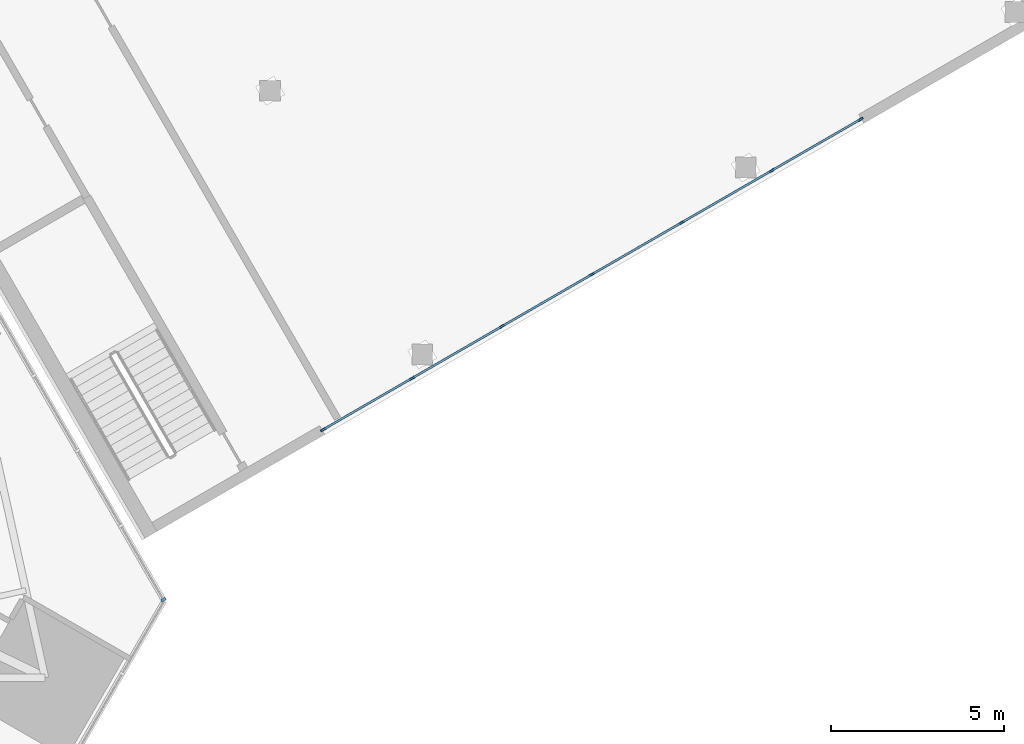
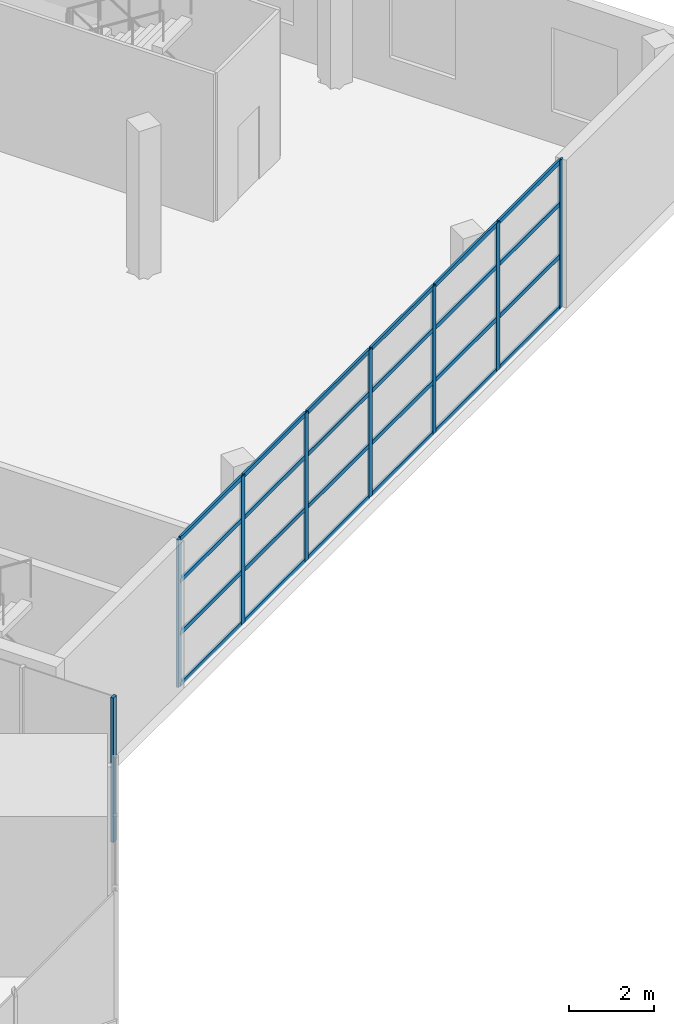
# One storey, part 13 of 29: 32 members, 2 elements without a shape of their own.
"""IFC4 building model written with IfcOpenShell, lengths in metres."""

from ifc_helpers import new_model, si_unit, direction, frame, origin, origin_2d, place, context, subcontext, project, spatial, rectangle, extrude, material, layer, layer_set, material_profile, profile_set, type_object, element, aggregate, save


model = new_model("IFC4")

# Units and contexts
model_context = context("Model", 3, precision=1e-05, world=origin(), true_north=direction((0.0, 1.0)))
body_context = subcontext(model_context, "Body", "Model", "MODEL_VIEW")
ifc_project = project(units=[si_unit("LENGTHUNIT", "METRE"), si_unit("AREAUNIT", "SQUARE_METRE"), si_unit("VOLUMEUNIT", "CUBIC_METRE"), si_unit("PLANEANGLEUNIT", "RADIAN"), si_unit("MASSUNIT", "GRAM", prefix="KILO")], contexts=[model_context])

# Site, building, storey
site_placement = place(None, origin())
site = spatial("IfcSite", under=ifc_project, at=site_placement, CompositionType="ELEMENT")
building_placement = place(site_placement, origin())
building = spatial("IfcBuilding", under=site, at=building_placement, Name="Firuza Gate Tower and Library", CompositionType="ELEMENT")
storey_placement = place(building_placement, frame((0.0, 0.0, 17.199951171875)))
storey = spatial("IfcBuildingStorey", under=building, at=storey_placement, Name="L03", CompositionType="ELEMENT", Elevation=17.199951171875)

# Curtain wall, member
ifc_material_1 = material(Name="Aluminium 6063-T6", Category="aluminium")
ifc_layer = layer(ifc_material_1, 0.14990234375)
ifc_layer_set = layer_set([ifc_layer], Name="Stick curtain wall, podium")
curtain_wall_type_1 = type_object("IfcCurtainWallType", Name="Stick curtain wall, podium", PredefinedType="NOTDEFINED", material=ifc_layer_set)
placement = place(storey_placement, origin())
curtain_wall_1 = element("IfcCurtainWall", 1, at=placement, inside=storey, type_object=curtain_wall_type_1, Name="CW5 L03 E", PredefinedType="NOTDEFINED")
ifc_material_2 = material(Name="Aluminium 6063-T6", Category="aluminium")
ifc_material_profile_1 = material_profile(ifc_material_2, rectangle(XDim=0.14990234375, YDim=0.080078125, at=origin_2d()))
ifc_profile_set_1 = profile_set([ifc_material_profile_1], Name="Aluminium 6063-T6")
member_type_1 = type_object("IfcMemberType", Name="Curtain wall mullion 80x150", PredefinedType="MULLION", material=ifc_profile_set_1)
member_1_placement = place(storey_placement, frame((107.466552734375, 60.4853515625, 0.150146484375), z_axis=(0.0, 0.0, 1.0), x_axis=(-0.866025403784, -0.5, 0.0)))
member_1 = element("IfcMember", 2, at=member_1_placement, type_object=member_type_1, Name="Mullion", PredefinedType="MULLION", context=body_context, shape_type="SweptSolid", body=[
    extrude(rectangle(XDim=0.14990234375, YDim=0.080078125, at=origin_2d()), origin(), (0.0, 0.0, 1.0), 4.14990234375),
])
aggregate(curtain_wall_1, [member_1])

# Curtain wall, members
ifc_material_3 = material(Name="Aluminium", Category="aluminium")
curtain_wall_type_2 = type_object("IfcCurtainWallType", Name="LIB CURTAIN WALL", PredefinedType="NOTDEFINED", material=ifc_material_3)
curtain_wall_2 = element("IfcCurtainWall", 3, at=placement, inside=storey, type_object=curtain_wall_type_2, Name="L03 south curtain wall", PredefinedType="NOTDEFINED")
ifc_material_4 = material(Name="Aluminium", Category="aluminium")
ifc_material_profile_2 = material_profile(ifc_material_4, rectangle(XDim=0.06005859375, YDim=0.159912109375, at=origin_2d()))
ifc_profile_set_2 = profile_set([ifc_material_profile_2], Name="Aluminium")
member_type_2 = type_object("IfcMemberType", Name="LIB MULLION 60X160", PredefinedType="MULLION", material=ifc_profile_set_2)
member_2_placement = place(storey_placement, frame((112.080078125, 65.404541015625, 0.0), z_axis=(0.0, 0.0, 1.0), x_axis=(-0.500001377656, 0.866024608393, 0.0)))
member_2 = element("IfcMember", 4, at=member_2_placement, type_object=member_type_2, Name="LIB-CW mullion 1", PredefinedType="MULLION", context=body_context, shape_type="SweptSolid", body=[
    extrude(rectangle(XDim=0.06005859375, YDim=0.159912109375, at=origin_2d()), origin(), (0.0, 0.0, 1.0), 4.239990234375),
])
member_3_placement = place(storey_placement, frame((114.65234375, 66.889404296875, 0.0), z_axis=(0.0, 0.0, 1.0), x_axis=(-0.500001377656, 0.866024608393, 0.0)))
member_3 = element("IfcMember", 5, at=member_3_placement, type_object=member_type_2, Name="LIB-CW mullion 2", PredefinedType="MULLION", context=body_context, shape_type="SweptSolid", body=[
    extrude(rectangle(XDim=0.06005859375, YDim=0.159912109375, at=origin_2d()), origin(), (0.0, 0.0, 1.0), 4.239990234375),
])
member_4_placement = place(storey_placement, frame((117.250244140625, 68.389404296875, 0.0), z_axis=(0.0, 0.0, 1.0), x_axis=(-0.500001377656, 0.866024608393, 0.0)))
member_4 = element("IfcMember", 6, at=member_4_placement, type_object=member_type_2, Name="LIB-CW mullion 3", PredefinedType="MULLION", context=body_context, shape_type="SweptSolid", body=[
    extrude(rectangle(XDim=0.06005859375, YDim=0.159912109375, at=origin_2d()), origin(), (0.0, 0.0, 1.0), 4.239990234375),
])
member_5_placement = place(storey_placement, frame((119.848388671875, 69.889404296875, 0.0), z_axis=(0.0, 0.0, 1.0), x_axis=(-0.500001377656, 0.866024608393, 0.0)))
member_5 = element("IfcMember", 7, at=member_5_placement, type_object=member_type_2, Name="LIB-CW mullion 4", PredefinedType="MULLION", context=body_context, shape_type="SweptSolid", body=[
    extrude(rectangle(XDim=0.06005859375, YDim=0.159912109375, at=origin_2d()), origin(), (0.0, 0.0, 1.0), 4.239990234375),
])
member_6_placement = place(storey_placement, frame((122.446533203125, 71.389404296875, 0.0), z_axis=(0.0, 0.0, 1.0), x_axis=(-0.500001377656, 0.866024608393, 0.0)))
member_6 = element("IfcMember", 8, at=member_6_placement, type_object=member_type_2, Name="LIB-CW mullion 5", PredefinedType="MULLION", context=body_context, shape_type="SweptSolid", body=[
    extrude(rectangle(XDim=0.06005859375, YDim=0.159912109375, at=origin_2d()), origin(), (0.0, 0.0, 1.0), 4.239990234375),
])
member_7_placement = place(storey_placement, frame((125.04443359375, 72.889404296875, 0.0), z_axis=(0.0, 0.0, 1.0), x_axis=(-0.500001377656, 0.866024608393, 0.0)))
member_7 = element("IfcMember", 9, at=member_7_placement, type_object=member_type_2, Name="LIB-CW mullion 6", PredefinedType="MULLION", context=body_context, shape_type="SweptSolid", body=[
    extrude(rectangle(XDim=0.06005859375, YDim=0.159912109375, at=origin_2d()), origin(), (0.0, 0.0, 1.0), 4.239990234375),
])
member_8_placement = place(storey_placement, frame((127.61669921875, 74.37451171875, 0.0), z_axis=(0.0, 0.0, 1.0), x_axis=(-0.500001377656, 0.866024608393, 0.0)))
member_8 = element("IfcMember", 10, at=member_8_placement, type_object=member_type_2, Name="LIB-CW mullion 7", PredefinedType="MULLION", context=body_context, shape_type="SweptSolid", body=[
    extrude(rectangle(XDim=0.06005859375, YDim=0.159912109375, at=origin_2d()), origin(), (0.0, 0.0, 1.0), 4.239990234375),
])
ifc_material_5 = material(Name="Aluminium", Category="aluminium")
ifc_material_profile_3 = material_profile(ifc_material_5, rectangle(XDim=0.06005859375, YDim=0.1201171875, at=origin_2d()))
ifc_profile_set_3 = profile_set([ifc_material_profile_3], Name="Aluminium")
member_type_3 = type_object("IfcMemberType", Name="LIB TRANSOM 60X120", PredefinedType="USERDEFINED", material=ifc_profile_set_3)
member_9_placement = place(storey_placement, frame((112.106201171875, 65.41943359375, 0.030029296875), z_axis=(0.866003949776, 0.500037157592, 0.0), x_axis=(-0.500037157592, 0.866003949776, 0.0)))
member_9 = element("IfcMember", 11, at=member_9_placement, type_object=member_type_3, Name="LIB-CW transom 1.1", ObjectType="TRANSOM", PredefinedType="USERDEFINED", context=body_context, shape_type="SweptSolid", body=[
    extrude(rectangle(XDim=0.06005859375, YDim=0.1201171875, at=origin_2d()), origin(), (0.0, 0.0, 1.0), 2.909912109375),
])
member_10_placement = place(storey_placement, frame((112.106201171875, 65.41943359375, 1.5), z_axis=(0.866003949776, 0.500037157592, 0.0), x_axis=(-0.500037157592, 0.866003949776, 0.0)))
member_10 = element("IfcMember", 12, at=member_10_placement, type_object=member_type_3, Name="LIB-CW transom 1.2", ObjectType="TRANSOM", PredefinedType="USERDEFINED", context=body_context, shape_type="SweptSolid", body=[
    extrude(rectangle(XDim=0.06005859375, YDim=0.1201171875, at=origin_2d()), origin(), (0.0, 0.0, 1.0), 2.909912109375),
])
member_11_placement = place(storey_placement, frame((112.106201171875, 65.41943359375, 3.0), z_axis=(0.866003949776, 0.500037157592, 0.0), x_axis=(-0.500037157592, 0.866003949776, 0.0)))
member_11 = element("IfcMember", 13, at=member_11_placement, type_object=member_type_3, Name="LIB-CW transom 1.3", ObjectType="TRANSOM", PredefinedType="USERDEFINED", context=body_context, shape_type="SweptSolid", body=[
    extrude(rectangle(XDim=0.06005859375, YDim=0.1201171875, at=origin_2d()), origin(), (0.0, 0.0, 1.0), 2.909912109375),
])
member_12_placement = place(storey_placement, frame((112.106201171875, 65.41943359375, 4.2099609375), z_axis=(0.866003949776, 0.500037157592, 0.0), x_axis=(-0.500037157592, 0.866003949776, 0.0)))
member_12 = element("IfcMember", 14, at=member_12_placement, type_object=member_type_3, Name="LIB-CW transom 1.4", ObjectType="TRANSOM", PredefinedType="USERDEFINED", context=body_context, shape_type="SweptSolid", body=[
    extrude(rectangle(XDim=0.06005859375, YDim=0.1201171875, at=origin_2d()), origin(), (0.0, 0.0, 1.0), 2.909912109375),
])
member_13_placement = place(storey_placement, frame((114.67822265625, 66.904541015625, 0.030029296875), z_axis=(0.866032090307, 0.499988418424, 0.0), x_axis=(-0.499988418424, 0.866032090307, 0.0)))
member_13 = element("IfcMember", 15, at=member_13_placement, type_object=member_type_3, Name="LIB-CW transom 2.1", ObjectType="TRANSOM", PredefinedType="USERDEFINED", context=body_context, shape_type="SweptSolid", body=[
    extrude(rectangle(XDim=0.06005859375, YDim=0.1201171875, at=origin_2d()), origin(), (0.0, 0.0, 1.0), 2.93994140625),
])
member_14_placement = place(storey_placement, frame((114.67822265625, 66.904541015625, 1.5), z_axis=(0.866032090307, 0.499988418424, 0.0), x_axis=(-0.499988418424, 0.866032090307, 0.0)))
member_14 = element("IfcMember", 16, at=member_14_placement, type_object=member_type_3, Name="LIB-CW transom 2.2", ObjectType="TRANSOM", PredefinedType="USERDEFINED", context=body_context, shape_type="SweptSolid", body=[
    extrude(rectangle(XDim=0.06005859375, YDim=0.1201171875, at=origin_2d()), origin(), (0.0, 0.0, 1.0), 2.93994140625),
])
member_15_placement = place(storey_placement, frame((114.67822265625, 66.904541015625, 3.0), z_axis=(0.866032090307, 0.499988418424, 0.0), x_axis=(-0.499988418424, 0.866032090307, 0.0)))
member_15 = element("IfcMember", 17, at=member_15_placement, type_object=member_type_3, Name="LIB-CW transom 2.3", ObjectType="TRANSOM", PredefinedType="USERDEFINED", context=body_context, shape_type="SweptSolid", body=[
    extrude(rectangle(XDim=0.06005859375, YDim=0.1201171875, at=origin_2d()), origin(), (0.0, 0.0, 1.0), 2.93994140625),
])
member_16_placement = place(storey_placement, frame((114.67822265625, 66.904541015625, 4.2099609375), z_axis=(0.866032090307, 0.499988418424, 0.0), x_axis=(-0.499988418424, 0.866032090307, 0.0)))
member_16 = element("IfcMember", 18, at=member_16_placement, type_object=member_type_3, Name="LIB-CW transom 2.4", ObjectType="TRANSOM", PredefinedType="USERDEFINED", context=body_context, shape_type="SweptSolid", body=[
    extrude(rectangle(XDim=0.06005859375, YDim=0.1201171875, at=origin_2d()), origin(), (0.0, 0.0, 1.0), 2.93994140625),
])
member_17_placement = place(storey_placement, frame((117.2763671875, 68.404541015625, 0.030029296875), z_axis=(0.866032090307, 0.499988418424, 0.0), x_axis=(-0.499988418424, 0.866032090307, 0.0)))
member_17 = element("IfcMember", 19, at=member_17_placement, type_object=member_type_3, Name="LIB-CW transom 3.1", ObjectType="TRANSOM", PredefinedType="USERDEFINED", context=body_context, shape_type="SweptSolid", body=[
    extrude(rectangle(XDim=0.06005859375, YDim=0.1201171875, at=origin_2d()), origin(), (0.0, 0.0, 1.0), 2.93994140625),
])
member_18_placement = place(storey_placement, frame((117.2763671875, 68.404541015625, 1.5), z_axis=(0.866032090307, 0.499988418424, 0.0), x_axis=(-0.499988418424, 0.866032090307, 0.0)))
member_18 = element("IfcMember", 20, at=member_18_placement, type_object=member_type_3, Name="LIB-CW transom 3.2", ObjectType="TRANSOM", PredefinedType="USERDEFINED", context=body_context, shape_type="SweptSolid", body=[
    extrude(rectangle(XDim=0.06005859375, YDim=0.1201171875, at=origin_2d()), origin(), (0.0, 0.0, 1.0), 2.93994140625),
])
member_19_placement = place(storey_placement, frame((117.2763671875, 68.404541015625, 3.0), z_axis=(0.866032090307, 0.499988418424, 0.0), x_axis=(-0.499988418424, 0.866032090307, 0.0)))
member_19 = element("IfcMember", 21, at=member_19_placement, type_object=member_type_3, Name="LIB-CW transom 3.3", ObjectType="TRANSOM", PredefinedType="USERDEFINED", context=body_context, shape_type="SweptSolid", body=[
    extrude(rectangle(XDim=0.06005859375, YDim=0.1201171875, at=origin_2d()), origin(), (0.0, 0.0, 1.0), 2.93994140625),
])
member_20_placement = place(storey_placement, frame((117.2763671875, 68.404541015625, 4.2099609375), z_axis=(0.866032090307, 0.499988418424, 0.0), x_axis=(-0.499988418424, 0.866032090307, 0.0)))
member_20 = element("IfcMember", 22, at=member_20_placement, type_object=member_type_3, Name="LIB-CW transom 3.4", ObjectType="TRANSOM", PredefinedType="USERDEFINED", context=body_context, shape_type="SweptSolid", body=[
    extrude(rectangle(XDim=0.06005859375, YDim=0.1201171875, at=origin_2d()), origin(), (0.0, 0.0, 1.0), 2.93994140625),
])
member_21_placement = place(storey_placement, frame((119.874267578125, 69.904541015625, 0.030029296875), z_axis=(0.866032090307, 0.499988418424, 0.0), x_axis=(-0.499988418424, 0.866032090307, 0.0)))
member_21 = element("IfcMember", 23, at=member_21_placement, type_object=member_type_3, Name="LIB-CW transom 4.1", ObjectType="TRANSOM", PredefinedType="USERDEFINED", context=body_context, shape_type="SweptSolid", body=[
    extrude(rectangle(XDim=0.06005859375, YDim=0.1201171875, at=origin_2d()), origin(), (0.0, 0.0, 1.0), 2.93994140625),
])
member_22_placement = place(storey_placement, frame((119.874267578125, 69.904541015625, 1.5), z_axis=(0.866032090307, 0.499988418424, 0.0), x_axis=(-0.499988418424, 0.866032090307, 0.0)))
member_22 = element("IfcMember", 24, at=member_22_placement, type_object=member_type_3, Name="LIB-CW transom 4.2", ObjectType="TRANSOM", PredefinedType="USERDEFINED", context=body_context, shape_type="SweptSolid", body=[
    extrude(rectangle(XDim=0.06005859375, YDim=0.1201171875, at=origin_2d()), origin(), (0.0, 0.0, 1.0), 2.93994140625),
])
member_23_placement = place(storey_placement, frame((119.874267578125, 69.904541015625, 3.0), z_axis=(0.866032090307, 0.499988418424, 0.0), x_axis=(-0.499988418424, 0.866032090307, 0.0)))
member_23 = element("IfcMember", 25, at=member_23_placement, type_object=member_type_3, Name="LIB-CW transom 4.3", ObjectType="TRANSOM", PredefinedType="USERDEFINED", context=body_context, shape_type="SweptSolid", body=[
    extrude(rectangle(XDim=0.06005859375, YDim=0.1201171875, at=origin_2d()), origin(), (0.0, 0.0, 1.0), 2.93994140625),
])
member_24_placement = place(storey_placement, frame((119.874267578125, 69.904541015625, 4.2099609375), z_axis=(0.866032090307, 0.499988418424, 0.0), x_axis=(-0.499988418424, 0.866032090307, 0.0)))
member_24 = element("IfcMember", 26, at=member_24_placement, type_object=member_type_3, Name="LIB-CW transom 4.4", ObjectType="TRANSOM", PredefinedType="USERDEFINED", context=body_context, shape_type="SweptSolid", body=[
    extrude(rectangle(XDim=0.06005859375, YDim=0.1201171875, at=origin_2d()), origin(), (0.0, 0.0, 1.0), 2.93994140625),
])
member_25_placement = place(storey_placement, frame((122.472412109375, 71.404541015625, 0.030029296875), z_axis=(0.866032090307, 0.499988418424, 0.0), x_axis=(-0.499988418424, 0.866032090307, 0.0)))
member_25 = element("IfcMember", 27, at=member_25_placement, type_object=member_type_3, Name="LIB-CW transom 5.1", ObjectType="TRANSOM", PredefinedType="USERDEFINED", context=body_context, shape_type="SweptSolid", body=[
    extrude(rectangle(XDim=0.06005859375, YDim=0.1201171875, at=origin_2d()), origin(), (0.0, 0.0, 1.0), 2.93994140625),
])
member_26_placement = place(storey_placement, frame((122.472412109375, 71.404541015625, 1.5), z_axis=(0.866032090307, 0.499988418424, 0.0), x_axis=(-0.499988418424, 0.866032090307, 0.0)))
member_26 = element("IfcMember", 28, at=member_26_placement, type_object=member_type_3, Name="LIB-CW transom 5.2", ObjectType="TRANSOM", PredefinedType="USERDEFINED", context=body_context, shape_type="SweptSolid", body=[
    extrude(rectangle(XDim=0.06005859375, YDim=0.1201171875, at=origin_2d()), origin(), (0.0, 0.0, 1.0), 2.93994140625),
])
member_27_placement = place(storey_placement, frame((122.472412109375, 71.404541015625, 3.0), z_axis=(0.866032090307, 0.499988418424, 0.0), x_axis=(-0.499988418424, 0.866032090307, 0.0)))
member_27 = element("IfcMember", 29, at=member_27_placement, type_object=member_type_3, Name="LIB-CW transom 5.3", ObjectType="TRANSOM", PredefinedType="USERDEFINED", context=body_context, shape_type="SweptSolid", body=[
    extrude(rectangle(XDim=0.06005859375, YDim=0.1201171875, at=origin_2d()), origin(), (0.0, 0.0, 1.0), 2.93994140625),
])
member_28_placement = place(storey_placement, frame((122.472412109375, 71.404541015625, 4.2099609375), z_axis=(0.866032090307, 0.499988418424, 0.0), x_axis=(-0.499988418424, 0.866032090307, 0.0)))
member_28 = element("IfcMember", 30, at=member_28_placement, type_object=member_type_3, Name="LIB-CW transom 5.4", ObjectType="TRANSOM", PredefinedType="USERDEFINED", context=body_context, shape_type="SweptSolid", body=[
    extrude(rectangle(XDim=0.06005859375, YDim=0.1201171875, at=origin_2d()), origin(), (0.0, 0.0, 1.0), 2.93994140625),
])
member_29_placement = place(storey_placement, frame((125.070556640625, 72.904541015625, 0.030029296875), z_axis=(0.866003949776, 0.500037157592, 0.0), x_axis=(-0.500037157592, 0.866003949776, 0.0)))
member_29 = element("IfcMember", 31, at=member_29_placement, type_object=member_type_3, Name="LIB-CW transom 6.1", ObjectType="TRANSOM", PredefinedType="USERDEFINED", context=body_context, shape_type="SweptSolid", body=[
    extrude(rectangle(XDim=0.06005859375, YDim=0.1201171875, at=origin_2d()), origin(), (0.0, 0.0, 1.0), 2.909912109375),
])
member_30_placement = place(storey_placement, frame((125.070556640625, 72.904541015625, 1.5), z_axis=(0.866003949776, 0.500037157592, 0.0), x_axis=(-0.500037157592, 0.866003949776, 0.0)))
member_30 = element("IfcMember", 32, at=member_30_placement, type_object=member_type_3, Name="LIB-CW transom 6.2", ObjectType="TRANSOM", PredefinedType="USERDEFINED", context=body_context, shape_type="SweptSolid", body=[
    extrude(rectangle(XDim=0.06005859375, YDim=0.1201171875, at=origin_2d()), origin(), (0.0, 0.0, 1.0), 2.909912109375),
])
member_31_placement = place(storey_placement, frame((125.070556640625, 72.904541015625, 3.0), z_axis=(0.866003949776, 0.500037157592, 0.0), x_axis=(-0.500037157592, 0.866003949776, 0.0)))
member_31 = element("IfcMember", 33, at=member_31_placement, type_object=member_type_3, Name="LIB-CW transom 6.3", ObjectType="TRANSOM", PredefinedType="USERDEFINED", context=body_context, shape_type="SweptSolid", body=[
    extrude(rectangle(XDim=0.06005859375, YDim=0.1201171875, at=origin_2d()), origin(), (0.0, 0.0, 1.0), 2.909912109375),
])
member_32_placement = place(storey_placement, frame((125.070556640625, 72.904541015625, 4.2099609375), z_axis=(0.866003949776, 0.500037157592, 0.0), x_axis=(-0.500037157592, 0.866003949776, 0.0)))
member_32 = element("IfcMember", 34, at=member_32_placement, type_object=member_type_3, Name="LIB-CW transom 6.4", ObjectType="TRANSOM", PredefinedType="USERDEFINED", context=body_context, shape_type="SweptSolid", body=[
    extrude(rectangle(XDim=0.06005859375, YDim=0.1201171875, at=origin_2d()), origin(), (0.0, 0.0, 1.0), 2.909912109375),
])
aggregate(curtain_wall_2, [member_2, member_3, member_4, member_5, member_6, member_7, member_8, member_9, member_10, member_11, member_12, member_13, member_14, member_15, member_16, member_17, member_18, member_19, member_20, member_21, member_22, member_23, member_24, member_25, member_26, member_27, member_28, member_29, member_30, member_31, member_32])

save(model, "model.ifc")
